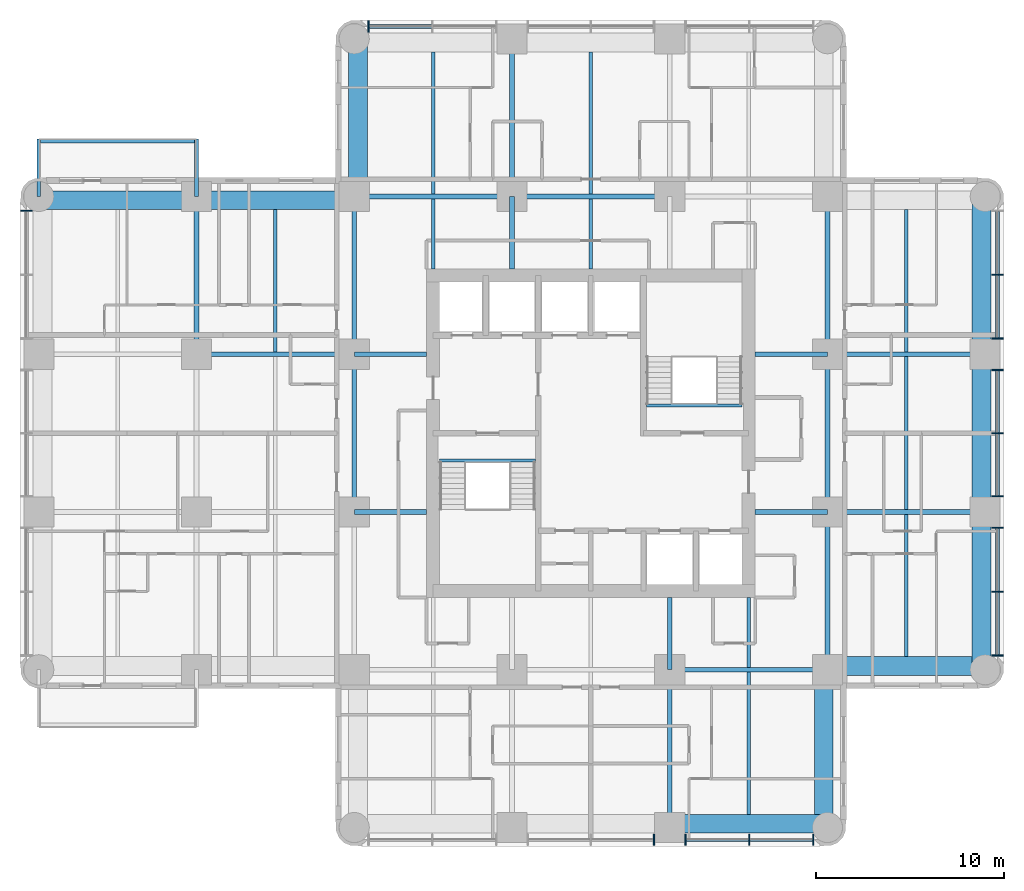
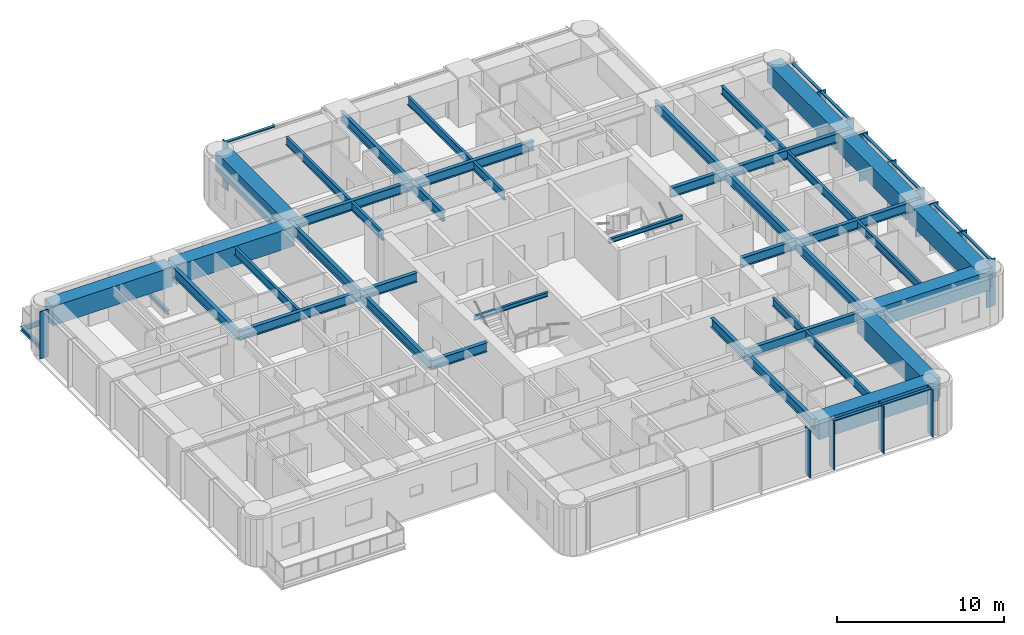
# One storey, part 2 of 11: 44 beams, 23 members, 4 elements without a shape of their own.
"""IFC4 building model written with IfcOpenShell, lengths in metres."""

from ifc_helpers import new_model, si_unit, direction, frame, origin, origin_2d, place, context, subcontext, project, spatial, rectangle, i_section, extrude, material, material_profile, profile_set, type_object, element, aggregate, save


model = new_model("IFC4")

# Units and contexts
model_context = context("Model", 3, precision=1e-05, world=origin(), true_north=direction((0.0, 1.0)))
body_context = subcontext(model_context, "Body", "Model", "MODEL_VIEW")
ifc_project = project(units=[si_unit("LENGTHUNIT", "METRE"), si_unit("AREAUNIT", "SQUARE_METRE"), si_unit("VOLUMEUNIT", "CUBIC_METRE"), si_unit("PLANEANGLEUNIT", "RADIAN"), si_unit("MASSUNIT", "GRAM", prefix="KILO")], contexts=[model_context])

# Site, building, storey
site_placement = place(None, origin())
site = spatial("IfcSite", under=ifc_project, at=site_placement, CompositionType="ELEMENT")
building_placement = place(site_placement, origin())
building = spatial("IfcBuilding", under=site, at=building_placement, Name="Torre Alcanfor", CompositionType="ELEMENT")
storey_placement = place(building_placement, frame((0.0, 0.0, 240.89990234375)))
storey = spatial("IfcBuildingStorey", under=building, at=storey_placement, Name="L63", CompositionType="ELEMENT", Elevation=240.89990234375)

# Beams
ifc_material_1 = material(Name="Steel ASTM A992 Grade 50", Category="steel")
ifc_material_profile_1 = material_profile(ifc_material_1, i_section(OverallWidth=0.205322265625, OverallDepth=0.309814453125, WebThickness=0.00927734375, FlangeThickness=0.016357421875, at=origin_2d()), Name="W12x50")
ifc_profile_set_1 = profile_set([ifc_material_profile_1], Name="Steel ASTM A992 Grade 50")
beam_type_1 = type_object("IfcBeamType", Name="Balcony cantilever beam W12x50", PredefinedType="BEAM", material=ifc_profile_set_1)
for number, where, z_axis, x_axis, name in (
    (1, (8.39990234375, 42.0, -0.354736328125), (0.0, 1.0, 0.0), (-1.0, 0.0, 0.0), "Balcony cantilever beam L63-W2 1"),
    (2, (0.0, 42.0, -0.354736328125), (0.0, 1.0, 0.0), (-1.0, 0.0, 0.0), "Balcony cantilever beam L63-W2 2"),
):
    element("IfcBeam", number, at=place(storey_placement, frame(where, z_axis=z_axis, x_axis=x_axis)), inside=storey, type_object=beam_type_1, Name=name, PredefinedType="BEAM", context=body_context, shape_type="SweptSolid", body=[
        extrude(i_section(OverallWidth=0.205322265625, OverallDepth=0.309814453125, WebThickness=0.00927734375, FlangeThickness=0.016357421875, at=origin_2d()), origin(), (0.0, 0.0, 1.0), 3.050048828125),
    ])
ifc_material_2 = material(Name="Steel ASTM A992 Grade 50", Category="steel")
ifc_material_profile_2 = material_profile(ifc_material_2, i_section(OverallWidth=0.203369140625, OverallDepth=0.30224609375, WebThickness=0.007568359375, FlangeThickness=0.01318359375, at=origin_2d()), Name="W12x40")
ifc_profile_set_2 = profile_set([ifc_material_profile_2], Name="Steel ASTM A992 Grade 50")
beam_type_2 = type_object("IfcBeamType", Name="Balcony edge trimmer W12x40", PredefinedType="BEAM", material=ifc_profile_set_2)
beam_1_placement = place(storey_placement, frame((8.39990234375, 44.9482421875, -0.35107421875), z_axis=(-1.0, 0.0, 0.0), x_axis=(0.0, -1.0, 0.0)))
element("IfcBeam", 3, at=beam_1_placement, inside=storey, type_object=beam_type_2, Name="Balcony edge trimmer L63-W2", PredefinedType="BEAM", context=body_context, shape_type="SweptSolid", body=[
    extrude(i_section(OverallWidth=0.203369140625, OverallDepth=0.30224609375, WebThickness=0.007568359375, FlangeThickness=0.01318359375, at=origin_2d()), origin(), (0.0, 0.0, 1.0), 8.39990234375),
])

# Curtain wall, member
ifc_material_3 = material(Name="Aluminium and glass", Category="aluminium")
curtain_wall_type = type_object("IfcCurtainWallType", Name="CW-A unitised apartment glazing with vertical FIN", PredefinedType="NOTDEFINED", material=ifc_material_3)
curtain_wall_1_placement = place(storey_placement, origin())
curtain_wall_1 = element("IfcCurtainWall", 4, at=curtain_wall_1_placement, inside=storey, type_object=curtain_wall_type, Name="Curtain wall CW-A L63 2", PredefinedType="NOTDEFINED")
ifc_material_4 = material(Name="Bronze anodised aluminium", Category="aluminium")
ifc_material_profile_3 = material_profile(ifc_material_4, rectangle(XDim=0.60009765625, YDim=0.06494140625, at=origin_2d()), Name="CW-A mullion 65x600")
ifc_profile_set_3 = profile_set([ifc_material_profile_3], Name="Bronze anodised aluminium")
member_type_1 = type_object("IfcMemberType", Name="CW-A mullion with vertical FIN 65x600", PredefinedType="MULLION", material=ifc_profile_set_3)
member_1_placement = place(storey_placement, frame((-0.64990234375, 41.24267578125, 0.0), z_axis=(0.0, 0.0, 1.0), x_axis=(1.0, 0.0, 0.0)))
member_1 = element("IfcMember", 5, at=member_1_placement, type_object=member_type_1, Name="CW-A mullion 1.1", PredefinedType="MULLION", context=body_context, shape_type="SweptSolid", body=[
    extrude(rectangle(XDim=0.60009765625, YDim=0.06494140625, at=origin_2d()), origin(), (0.0, 0.0, 1.0), 3.4501953125),
])
aggregate(curtain_wall_1, [member_1])

# Curtain wall, members
curtain_wall_2_placement = place(storey_placement, origin())
curtain_wall_2 = element("IfcCurtainWall", 6, at=curtain_wall_2_placement, inside=storey, type_object=curtain_wall_type, Name="Curtain wall CW-A L63 5", PredefinedType="NOTDEFINED")
member_2_placement = place(storey_placement, frame((32.762451171875, 7.75, 0.0), z_axis=(0.0, 0.0, 1.0), x_axis=(0.0, 1.0, 0.0)))
member_2 = element("IfcMember", 7, at=member_2_placement, type_object=member_type_1, Name="CW-A mullion 2.3", PredefinedType="MULLION", context=body_context, shape_type="SweptSolid", body=[
    extrude(rectangle(XDim=0.60009765625, YDim=0.06494140625, at=origin_2d()), origin(), (0.0, 0.0, 1.0), 3.4501953125),
])
member_3_placement = place(storey_placement, frame((34.4375, 7.75, 0.0), z_axis=(0.0, 0.0, 1.0), x_axis=(0.0, 1.0, 0.0)))
member_3 = element("IfcMember", 8, at=member_3_placement, type_object=member_type_1, Name="CW-A mullion 3.1", PredefinedType="MULLION", context=body_context, shape_type="SweptSolid", body=[
    extrude(rectangle(XDim=0.60009765625, YDim=0.06494140625, at=origin_2d()), origin(), (0.0, 0.0, 1.0), 3.4501953125),
])
member_4_placement = place(storey_placement, frame((37.840087890625, 7.75, 0.0), z_axis=(0.0, 0.0, 1.0), x_axis=(0.0, 1.0, 0.0)))
member_4 = element("IfcMember", 9, at=member_4_placement, type_object=member_type_1, Name="CW-A mullion 3.2", PredefinedType="MULLION", context=body_context, shape_type="SweptSolid", body=[
    extrude(rectangle(XDim=0.60009765625, YDim=0.06494140625, at=origin_2d()), origin(), (0.0, 0.0, 1.0), 3.4501953125),
])
member_5_placement = place(storey_placement, frame((41.24267578125, 7.75, 0.0), z_axis=(0.0, 0.0, 1.0), x_axis=(0.0, 1.0, 0.0)))
member_5 = element("IfcMember", 10, at=member_5_placement, type_object=member_type_1, Name="CW-A mullion 3.3", PredefinedType="MULLION", context=body_context, shape_type="SweptSolid", body=[
    extrude(rectangle(XDim=0.60009765625, YDim=0.06494140625, at=origin_2d()), origin(), (0.0, 0.0, 1.0), 3.4501953125),
])

curtain_wall_3_placement = place(storey_placement, origin())
curtain_wall_3 = element("IfcCurtainWall", 11, at=curtain_wall_3_placement, inside=storey, type_object=curtain_wall_type, Name="Curtain wall CW-A L63 8", PredefinedType="NOTDEFINED")
member_6_placement = place(storey_placement, frame((51.050048828125, 17.557373046875, 0.0), z_axis=(0.0, 0.0, 1.0), x_axis=(-1.0, 0.0, 0.0)))
member_6 = element("IfcMember", 12, at=member_6_placement, type_object=member_type_1, Name="CW-A mullion 1.1", PredefinedType="MULLION", context=body_context, shape_type="SweptSolid", body=[
    extrude(rectangle(XDim=0.60009765625, YDim=0.06494140625, at=origin_2d()), origin(), (0.0, 0.0, 1.0), 3.4501953125),
])
member_7_placement = place(storey_placement, frame((51.050048828125, 20.9599609375, 0.0), z_axis=(0.0, 0.0, 1.0), x_axis=(-1.0, 0.0, 0.0)))
member_7 = element("IfcMember", 13, at=member_7_placement, type_object=member_type_1, Name="CW-A mullion 1.2", PredefinedType="MULLION", context=body_context, shape_type="SweptSolid", body=[
    extrude(rectangle(XDim=0.60009765625, YDim=0.06494140625, at=origin_2d()), origin(), (0.0, 0.0, 1.0), 3.4501953125),
])
member_8_placement = place(storey_placement, frame((51.050048828125, 24.362548828125, 0.0), z_axis=(0.0, 0.0, 1.0), x_axis=(-1.0, 0.0, 0.0)))
member_8 = element("IfcMember", 14, at=member_8_placement, type_object=member_type_1, Name="CW-A mullion 1.3", PredefinedType="MULLION", context=body_context, shape_type="SweptSolid", body=[
    extrude(rectangle(XDim=0.60009765625, YDim=0.06494140625, at=origin_2d()), origin(), (0.0, 0.0, 1.0), 3.4501953125),
])
member_9_placement = place(storey_placement, frame((51.050048828125, 26.03759765625, 0.0), z_axis=(0.0, 0.0, 1.0), x_axis=(-1.0, 0.0, 0.0)))
member_9 = element("IfcMember", 15, at=member_9_placement, type_object=member_type_1, Name="CW-A mullion 2.1", PredefinedType="MULLION", context=body_context, shape_type="SweptSolid", body=[
    extrude(rectangle(XDim=0.60009765625, YDim=0.06494140625, at=origin_2d()), origin(), (0.0, 0.0, 1.0), 3.4501953125),
])
member_10_placement = place(storey_placement, frame((51.050048828125, 29.39990234375, 0.0), z_axis=(0.0, 0.0, 1.0), x_axis=(-1.0, 0.0, 0.0)))
member_10 = element("IfcMember", 16, at=member_10_placement, type_object=member_type_1, Name="CW-A mullion 2.2", PredefinedType="MULLION", context=body_context, shape_type="SweptSolid", body=[
    extrude(rectangle(XDim=0.60009765625, YDim=0.06494140625, at=origin_2d()), origin(), (0.0, 0.0, 1.0), 3.4501953125),
])
member_11_placement = place(storey_placement, frame((51.050048828125, 32.762451171875, 0.0), z_axis=(0.0, 0.0, 1.0), x_axis=(-1.0, 0.0, 0.0)))
member_11 = element("IfcMember", 17, at=member_11_placement, type_object=member_type_1, Name="CW-A mullion 2.3", PredefinedType="MULLION", context=body_context, shape_type="SweptSolid", body=[
    extrude(rectangle(XDim=0.60009765625, YDim=0.06494140625, at=origin_2d()), origin(), (0.0, 0.0, 1.0), 3.4501953125),
])
member_12_placement = place(storey_placement, frame((51.050048828125, 34.4375, 0.0), z_axis=(0.0, 0.0, 1.0), x_axis=(-1.0, 0.0, 0.0)))
member_12 = element("IfcMember", 18, at=member_12_placement, type_object=member_type_1, Name="CW-A mullion 3.1", PredefinedType="MULLION", context=body_context, shape_type="SweptSolid", body=[
    extrude(rectangle(XDim=0.60009765625, YDim=0.06494140625, at=origin_2d()), origin(), (0.0, 0.0, 1.0), 3.4501953125),
])
member_13_placement = place(storey_placement, frame((51.050048828125, 37.840087890625, 0.0), z_axis=(0.0, 0.0, 1.0), x_axis=(-1.0, 0.0, 0.0)))
member_13 = element("IfcMember", 19, at=member_13_placement, type_object=member_type_1, Name="CW-A mullion 3.2", PredefinedType="MULLION", context=body_context, shape_type="SweptSolid", body=[
    extrude(rectangle(XDim=0.60009765625, YDim=0.06494140625, at=origin_2d()), origin(), (0.0, 0.0, 1.0), 3.4501953125),
])

# Curtain wall, member
curtain_wall_4_placement = place(storey_placement, origin())
curtain_wall_4 = element("IfcCurtainWall", 20, at=curtain_wall_4_placement, inside=storey, type_object=curtain_wall_type, Name="Curtain wall CW-A L63 11", PredefinedType="NOTDEFINED")
member_14_placement = place(storey_placement, frame((17.557373046875, 51.050048828125, 0.0), z_axis=(0.0, 0.0, 1.0), x_axis=(0.0, -1.0, 0.0)))
member_14 = element("IfcMember", 21, at=member_14_placement, type_object=member_type_1, Name="CW-A mullion 3.3", PredefinedType="MULLION", context=body_context, shape_type="SweptSolid", body=[
    extrude(rectangle(XDim=0.60009765625, YDim=0.06494140625, at=origin_2d()), origin(), (0.0, 0.0, 1.0), 3.4501953125),
])

# Member
ifc_material_5 = material(Name="Extruded aluminium", Category="aluminium")
ifc_material_profile_4 = material_profile(ifc_material_5, rectangle(XDim=0.199951171875, YDim=0.06494140625, at=origin_2d()), Name="CW-A transom 200x65")
ifc_profile_set_4 = profile_set([ifc_material_profile_4], Name="Extruded aluminium")
member_type_2 = type_object("IfcMemberType", Name="CW-A transom 65x200", PredefinedType="USERDEFINED", material=ifc_profile_set_4)
member_15_placement = place(storey_placement, frame((34.469970703125, 7.75, 3.41748046875), z_axis=(1.0, 0.0, 0.0), x_axis=(0.0, 1.0, 0.0)))
member_15 = element("IfcMember", 22, at=member_15_placement, type_object=member_type_2, Name="CW-A transom 3.1.2", ObjectType="TRANSOM", PredefinedType="USERDEFINED", context=body_context, shape_type="SweptSolid", body=[
    extrude(rectangle(XDim=0.199951171875, YDim=0.06494140625, at=origin_2d()), origin(), (0.0, 0.0, 1.0), 3.337646484375),
])

member_16_placement = place(storey_placement, frame((37.87255859375, 7.75, 3.41748046875), z_axis=(1.0, 0.0, 0.0), x_axis=(0.0, 1.0, 0.0)))
member_16 = element("IfcMember", 23, at=member_16_placement, type_object=member_type_2, Name="CW-A transom 3.2.2", ObjectType="TRANSOM", PredefinedType="USERDEFINED", context=body_context, shape_type="SweptSolid", body=[
    extrude(rectangle(XDim=0.199951171875, YDim=0.06494140625, at=origin_2d()), origin(), (0.0, 0.0, 1.0), 3.337646484375),
])

aggregate(curtain_wall_2, [member_2, member_3, member_4, member_5, member_15, member_16])

member_17_placement = place(storey_placement, frame((51.050048828125, 17.58984375, 3.41748046875), z_axis=(0.0, 1.0, 0.0), x_axis=(-1.0, 0.0, 0.0)))
member_17 = element("IfcMember", 24, at=member_17_placement, type_object=member_type_2, Name="CW-A transom 1.1.2", ObjectType="TRANSOM", PredefinedType="USERDEFINED", context=body_context, shape_type="SweptSolid", body=[
    extrude(rectangle(XDim=0.199951171875, YDim=0.06494140625, at=origin_2d()), origin(), (0.0, 0.0, 1.0), 3.337646484375),
])

member_18_placement = place(storey_placement, frame((51.050048828125, 20.992431640625, 3.41748046875), z_axis=(0.0, 1.0, 0.0), x_axis=(-1.0, 0.0, 0.0)))
member_18 = element("IfcMember", 25, at=member_18_placement, type_object=member_type_2, Name="CW-A transom 1.2.2", ObjectType="TRANSOM", PredefinedType="USERDEFINED", context=body_context, shape_type="SweptSolid", body=[
    extrude(rectangle(XDim=0.199951171875, YDim=0.06494140625, at=origin_2d()), origin(), (0.0, 0.0, 1.0), 3.337646484375),
])

member_19_placement = place(storey_placement, frame((51.050048828125, 26.070068359375, 3.41748046875), z_axis=(0.0, 1.0, 0.0), x_axis=(-1.0, 0.0, 0.0)))
member_19 = element("IfcMember", 26, at=member_19_placement, type_object=member_type_2, Name="CW-A transom 2.1.2", ObjectType="TRANSOM", PredefinedType="USERDEFINED", context=body_context, shape_type="SweptSolid", body=[
    extrude(rectangle(XDim=0.199951171875, YDim=0.06494140625, at=origin_2d()), origin(), (0.0, 0.0, 1.0), 3.29736328125),
])

member_20_placement = place(storey_placement, frame((51.050048828125, 29.4326171875, 3.41748046875), z_axis=(0.0, 1.0, 0.0), x_axis=(-1.0, 0.0, 0.0)))
member_20 = element("IfcMember", 27, at=member_20_placement, type_object=member_type_2, Name="CW-A transom 2.2.2", ObjectType="TRANSOM", PredefinedType="USERDEFINED", context=body_context, shape_type="SweptSolid", body=[
    extrude(rectangle(XDim=0.199951171875, YDim=0.06494140625, at=origin_2d()), origin(), (0.0, 0.0, 1.0), 3.29736328125),
])

member_21_placement = place(storey_placement, frame((51.050048828125, 34.469970703125, 3.41748046875), z_axis=(0.0, 1.0, 0.0), x_axis=(-1.0, 0.0, 0.0)))
member_21 = element("IfcMember", 28, at=member_21_placement, type_object=member_type_2, Name="CW-A transom 3.1.2", ObjectType="TRANSOM", PredefinedType="USERDEFINED", context=body_context, shape_type="SweptSolid", body=[
    extrude(rectangle(XDim=0.199951171875, YDim=0.06494140625, at=origin_2d()), origin(), (0.0, 0.0, 1.0), 3.337646484375),
])

member_22_placement = place(storey_placement, frame((51.050048828125, 37.87255859375, 3.41748046875), z_axis=(0.0, 1.0, 0.0), x_axis=(-1.0, 0.0, 0.0)))
member_22 = element("IfcMember", 29, at=member_22_placement, type_object=member_type_2, Name="CW-A transom 3.2.2", ObjectType="TRANSOM", PredefinedType="USERDEFINED", context=body_context, shape_type="SweptSolid", body=[
    extrude(rectangle(XDim=0.199951171875, YDim=0.06494140625, at=origin_2d()), origin(), (0.0, 0.0, 1.0), 3.337646484375),
])

aggregate(curtain_wall_3, [member_6, member_7, member_8, member_17, member_18, member_9, member_10, member_11, member_19, member_20, member_12, member_13, member_21, member_22])

member_23_placement = place(storey_placement, frame((20.927490234375, 51.050048828125, 3.41748046875), z_axis=(-1.0, 0.0, 0.0), x_axis=(0.0, -1.0, 0.0)))
member_23 = element("IfcMember", 30, at=member_23_placement, type_object=member_type_2, Name="CW-A transom 3.2.2", ObjectType="TRANSOM", PredefinedType="USERDEFINED", context=body_context, shape_type="SweptSolid", body=[
    extrude(rectangle(XDim=0.199951171875, YDim=0.06494140625, at=origin_2d()), origin(), (0.0, 0.0, 1.0), 3.337646484375),
])

aggregate(curtain_wall_4, [member_14, member_23])

# Beams
ifc_material_6 = material(Name="Steel ASTM A992 Grade 50", Category="steel")
ifc_material_profile_5 = material_profile(ifc_material_6, i_section(OverallWidth=0.25390625, OverallDepth=0.683349609375, WebThickness=0.012451171875, FlangeThickness=0.01904296875, at=origin_2d()), Name="W27x94")
ifc_profile_set_5 = profile_set([ifc_material_profile_5], Name="Steel ASTM A992 Grade 50")
beam_type_3 = type_object("IfcBeamType", Name="Girder W27x94", PredefinedType="BEAM", material=ifc_profile_set_5)
for number, where, z_axis, x_axis, name in (
    (31, (33.60009765625, 16.800048828125, 3.1083984375), (1.0, 0.0, 0.0), (0.0, 1.0, 0.0), "Beam 5E-6E under L64"),
    (32, (42.0, 25.199951171875, 3.1083984375), (1.0, 0.0, 0.0), (0.0, 1.0, 0.0), "Beam 6F-7F under L64"),
):
    element("IfcBeam", number, at=place(storey_placement, frame(where, z_axis=z_axis, x_axis=x_axis)), inside=storey, type_object=beam_type_3, Name=name, PredefinedType="BEAM", context=body_context, shape_type="SweptSolid", body=[
        extrude(i_section(OverallWidth=0.25390625, OverallDepth=0.683349609375, WebThickness=0.012451171875, FlangeThickness=0.01904296875, at=origin_2d()), origin(), (0.0, 0.0, 1.0), 8.39990234375),
    ])
beam_2_placement = place(storey_placement, frame((8.39990234375, 33.60009765625, 3.1083984375), z_axis=(1.0, 0.0, 0.0), x_axis=(0.0, 1.0, 0.0)))
element("IfcBeam", 33, at=beam_2_placement, inside=storey, type_object=beam_type_3, Name="Beam 2G-3G under L64", PredefinedType="BEAM", context=body_context, shape_type="SweptSolid", body=[
    extrude(i_section(OverallWidth=0.25390625, OverallDepth=0.683349609375, WebThickness=0.012451171875, FlangeThickness=0.01904296875, at=origin_2d()), origin(), (0.0, 0.0, 1.0), 8.400146484375),
])
for number, where, z_axis, x_axis, name in (
    (34, (42.0, 33.60009765625, 3.1083984375), (1.0, 0.0, 0.0), (0.0, 1.0, 0.0), "Beam 6G-7G under L64"),
    (35, (16.800048828125, 42.0, 3.1083984375), (1.0, 0.0, 0.0), (0.0, 1.0, 0.0), "Beam 3H-4H under L64"),
):
    element("IfcBeam", number, at=place(storey_placement, frame(where, z_axis=z_axis, x_axis=x_axis)), inside=storey, type_object=beam_type_3, Name=name, PredefinedType="BEAM", context=body_context, shape_type="SweptSolid", body=[
        extrude(i_section(OverallWidth=0.25390625, OverallDepth=0.683349609375, WebThickness=0.012451171875, FlangeThickness=0.01904296875, at=origin_2d()), origin(), (0.0, 0.0, 1.0), 8.39990234375),
    ])
beam_3_placement = place(storey_placement, frame((25.199951171875, 42.0, 3.1083984375), z_axis=(1.0, 0.0, 0.0), x_axis=(0.0, 1.0, 0.0)))
element("IfcBeam", 36, at=beam_3_placement, inside=storey, type_object=beam_type_3, Name="Beam 4H-5H under L64", PredefinedType="BEAM", context=body_context, shape_type="SweptSolid", body=[
    extrude(i_section(OverallWidth=0.25390625, OverallDepth=0.683349609375, WebThickness=0.012451171875, FlangeThickness=0.01904296875, at=origin_2d()), origin(), (0.0, 0.0, 1.0), 8.400146484375),
])
beam_4_placement = place(storey_placement, frame((8.39990234375, 33.60009765625, 3.1083984375), z_axis=(0.0, 1.0, 0.0), x_axis=(-1.0, 0.0, 0.0)))
element("IfcBeam", 37, at=beam_4_placement, inside=storey, type_object=beam_type_3, Name="Beam 2G-2H under L64", PredefinedType="BEAM", context=body_context, shape_type="SweptSolid", body=[
    extrude(i_section(OverallWidth=0.25390625, OverallDepth=0.683349609375, WebThickness=0.012451171875, FlangeThickness=0.01904296875, at=origin_2d()), origin(), (0.0, 0.0, 1.0), 8.39990234375),
])
beam_5_placement = place(storey_placement, frame((16.800048828125, 25.199951171875, 3.1083984375), z_axis=(0.0, 1.0, 0.0), x_axis=(-1.0, 0.0, 0.0)))
element("IfcBeam", 38, at=beam_5_placement, inside=storey, type_object=beam_type_3, Name="Beam 3F-3G under L64", PredefinedType="BEAM", context=body_context, shape_type="SweptSolid", body=[
    extrude(i_section(OverallWidth=0.25390625, OverallDepth=0.683349609375, WebThickness=0.012451171875, FlangeThickness=0.01904296875, at=origin_2d()), origin(), (0.0, 0.0, 1.0), 8.400146484375),
])
for number, where, z_axis, x_axis, name in (
    (39, (16.800048828125, 33.60009765625, 3.1083984375), (0.0, 1.0, 0.0), (-1.0, 0.0, 0.0), "Beam 3G-3H under L64"),
    (40, (25.199951171875, 42.0, 3.1083984375), (0.0, 1.0, 0.0), (-1.0, 0.0, 0.0), "Beam 4H-4J under L64"),
):
    element("IfcBeam", number, at=place(storey_placement, frame(where, z_axis=z_axis, x_axis=x_axis)), inside=storey, type_object=beam_type_3, Name=name, PredefinedType="BEAM", context=body_context, shape_type="SweptSolid", body=[
        extrude(i_section(OverallWidth=0.25390625, OverallDepth=0.683349609375, WebThickness=0.012451171875, FlangeThickness=0.01904296875, at=origin_2d()), origin(), (0.0, 0.0, 1.0), 8.39990234375),
    ])
beam_6_placement = place(storey_placement, frame((33.60009765625, 8.39990234375, 3.1083984375), z_axis=(0.0, 1.0, 0.0), x_axis=(-1.0, 0.0, 0.0)))
element("IfcBeam", 41, at=beam_6_placement, inside=storey, type_object=beam_type_3, Name="Beam 5D-5E under L64", PredefinedType="BEAM", context=body_context, shape_type="SweptSolid", body=[
    extrude(i_section(OverallWidth=0.25390625, OverallDepth=0.683349609375, WebThickness=0.012451171875, FlangeThickness=0.01904296875, at=origin_2d()), origin(), (0.0, 0.0, 1.0), 8.400146484375),
])
beam_7_placement = place(storey_placement, frame((42.0, 16.800048828125, 3.1083984375), z_axis=(0.0, 1.0, 0.0), x_axis=(-1.0, 0.0, 0.0)))
element("IfcBeam", 42, at=beam_7_placement, inside=storey, type_object=beam_type_3, Name="Beam 6E-6F under L64", PredefinedType="BEAM", context=body_context, shape_type="SweptSolid", body=[
    extrude(i_section(OverallWidth=0.25390625, OverallDepth=0.683349609375, WebThickness=0.012451171875, FlangeThickness=0.01904296875, at=origin_2d()), origin(), (0.0, 0.0, 1.0), 8.39990234375),
])
beam_8_placement = place(storey_placement, frame((42.0, 25.199951171875, 3.1083984375), z_axis=(0.0, 1.0, 0.0), x_axis=(-1.0, 0.0, 0.0)))
element("IfcBeam", 43, at=beam_8_placement, inside=storey, type_object=beam_type_3, Name="Beam 6F-6G under L64", PredefinedType="BEAM", context=body_context, shape_type="SweptSolid", body=[
    extrude(i_section(OverallWidth=0.25390625, OverallDepth=0.683349609375, WebThickness=0.012451171875, FlangeThickness=0.01904296875, at=origin_2d()), origin(), (0.0, 0.0, 1.0), 8.400146484375),
])
beam_9_placement = place(storey_placement, frame((42.0, 33.60009765625, 3.1083984375), z_axis=(0.0, 1.0, 0.0), x_axis=(-1.0, 0.0, 0.0)))
element("IfcBeam", 44, at=beam_9_placement, inside=storey, type_object=beam_type_3, Name="Beam 6G-6H under L64", PredefinedType="BEAM", context=body_context, shape_type="SweptSolid", body=[
    extrude(i_section(OverallWidth=0.25390625, OverallDepth=0.683349609375, WebThickness=0.012451171875, FlangeThickness=0.01904296875, at=origin_2d()), origin(), (0.0, 0.0, 1.0), 8.39990234375),
])
ifc_material_7 = material(Name="Steel ASTM A992 Grade 50", Category="steel")
ifc_material_profile_6 = material_profile(ifc_material_7, i_section(OverallWidth=0.25390625, OverallDepth=0.683349609375, WebThickness=0.012451171875, FlangeThickness=0.01904296875, at=origin_2d()), Name="W27x94")
ifc_profile_set_6 = profile_set([ifc_material_profile_6], Name="Steel ASTM A992 Grade 50")
beam_type_4 = type_object("IfcBeamType", Name="Girder, part bay W27x94", PredefinedType="BEAM", material=ifc_profile_set_6)
beam_10_placement = place(storey_placement, frame((25.199951171875, 42.0, 3.1083984375), z_axis=(0.0, -1.0, 0.0), x_axis=(1.0, 0.0, 0.0)))
element("IfcBeam", 45, at=beam_10_placement, inside=storey, type_object=beam_type_4, Name="Beam 4H-438_15 under L64", PredefinedType="BEAM", context=body_context, shape_type="SweptSolid", body=[
    extrude(i_section(OverallWidth=0.25390625, OverallDepth=0.683349609375, WebThickness=0.012451171875, FlangeThickness=0.01904296875, at=origin_2d()), origin(), (0.0, 0.0, 1.0), 3.85009765625),
])
for number, where, z_axis, x_axis, name in (
    (46, (33.60009765625, 16.800048828125, 3.1083984375), (0.0, 1.0, 0.0), (-1.0, 0.0, 0.0), "Beam 5E-520_65 under L64"),
    (47, (16.800048828125, 25.199951171875, 3.1083984375), (1.0, 0.0, 0.0), (0.0, 1.0, 0.0), "Beam 3F-20_65F under L64"),
):
    element("IfcBeam", number, at=place(storey_placement, frame(where, z_axis=z_axis, x_axis=x_axis)), inside=storey, type_object=beam_type_4, Name=name, PredefinedType="BEAM", context=body_context, shape_type="SweptSolid", body=[
        extrude(i_section(OverallWidth=0.25390625, OverallDepth=0.683349609375, WebThickness=0.012451171875, FlangeThickness=0.01904296875, at=origin_2d()), origin(), (0.0, 0.0, 1.0), 3.849853515625),
    ])
beam_11_placement = place(storey_placement, frame((42.0, 25.199951171875, 3.1083984375), z_axis=(-1.0, 0.0, 0.0), x_axis=(0.0, -1.0, 0.0)))
element("IfcBeam", 48, at=beam_11_placement, inside=storey, type_object=beam_type_4, Name="Beam 6F-38_15F under L64", PredefinedType="BEAM", context=body_context, shape_type="SweptSolid", body=[
    extrude(i_section(OverallWidth=0.25390625, OverallDepth=0.683349609375, WebThickness=0.012451171875, FlangeThickness=0.01904296875, at=origin_2d()), origin(), (0.0, 0.0, 1.0), 3.85009765625),
])
beam_12_placement = place(storey_placement, frame((16.800048828125, 33.60009765625, 3.1083984375), z_axis=(1.0, 0.0, 0.0), x_axis=(0.0, 1.0, 0.0)))
element("IfcBeam", 49, at=beam_12_placement, inside=storey, type_object=beam_type_4, Name="Beam 3G-20_65G under L64", PredefinedType="BEAM", context=body_context, shape_type="SweptSolid", body=[
    extrude(i_section(OverallWidth=0.25390625, OverallDepth=0.683349609375, WebThickness=0.012451171875, FlangeThickness=0.01904296875, at=origin_2d()), origin(), (0.0, 0.0, 1.0), 3.849853515625),
])
beam_13_placement = place(storey_placement, frame((42.0, 33.60009765625, 3.1083984375), z_axis=(-1.0, 0.0, 0.0), x_axis=(0.0, -1.0, 0.0)))
element("IfcBeam", 50, at=beam_13_placement, inside=storey, type_object=beam_type_4, Name="Beam 6G-38_15G under L64", PredefinedType="BEAM", context=body_context, shape_type="SweptSolid", body=[
    extrude(i_section(OverallWidth=0.25390625, OverallDepth=0.683349609375, WebThickness=0.012451171875, FlangeThickness=0.01904296875, at=origin_2d()), origin(), (0.0, 0.0, 1.0), 3.85009765625),
])
ifc_material_8 = material(Name="Concrete f'c 70 MPa", Category="concrete")
ifc_material_profile_7 = material_profile(ifc_material_8, rectangle(XDim=1.0, YDim=1.39990234375, at=origin_2d()), Name="1000x1400")
ifc_profile_set_7 = profile_set([ifc_material_profile_7], Name="Concrete f'c 70 MPa")
beam_type_5 = type_object("IfcBeamType", Name="RC perimeter beam 1000x1400", PredefinedType="BEAM", material=ifc_profile_set_7)
for number, where, z_axis, x_axis, name in (
    (51, (33.72705078125, 8.60009765625, 2.75), (1.0, 0.0, 0.0), (0.0, 1.0, 0.0), "Beam 5D-6D under L64"),
    (52, (42.126953125, 17.0, 2.75), (1.0, 0.0, 0.0), (0.0, 1.0, 0.0), "Beam 6E-7E under L64"),
    (53, (0.0, 41.800048828125, 2.75), (1.0, 0.0, 0.0), (0.0, 1.0, 0.0), "Beam 1H-2H under L64"),
):
    element("IfcBeam", number, at=place(storey_placement, frame(where, z_axis=z_axis, x_axis=x_axis)), inside=storey, type_object=beam_type_5, Name=name, PredefinedType="BEAM", context=body_context, shape_type="SweptSolid", body=[
        extrude(rectangle(XDim=1.0, YDim=1.39990234375, at=origin_2d()), origin(), (0.0, 0.0, 1.0), 8.27294921875),
    ])
beam_14_placement = place(storey_placement, frame((8.527099609375, 41.800048828125, 2.75), z_axis=(1.0, 0.0, 0.0), x_axis=(0.0, 1.0, 0.0)))
element("IfcBeam", 54, at=beam_14_placement, inside=storey, type_object=beam_type_5, Name="Beam 2H-3H under L64", PredefinedType="BEAM", context=body_context, shape_type="SweptSolid", body=[
    extrude(rectangle(XDim=1.0, YDim=1.39990234375, at=origin_2d()), origin(), (0.0, 0.0, 1.0), 8.14599609375),
])
beam_15_placement = place(storey_placement, frame((17.0, 42.126953125, 2.75), z_axis=(0.0, 1.0, 0.0), x_axis=(-1.0, 0.0, 0.0)))
element("IfcBeam", 55, at=beam_15_placement, inside=storey, type_object=beam_type_5, Name="Beam 3H-3J under L64", PredefinedType="BEAM", context=body_context, shape_type="SweptSolid", body=[
    extrude(rectangle(XDim=1.0, YDim=1.39990234375, at=origin_2d()), origin(), (0.0, 0.0, 1.0), 8.27294921875),
])
beam_16_placement = place(storey_placement, frame((41.800048828125, 8.39990234375, 2.75), z_axis=(0.0, 1.0, 0.0), x_axis=(-1.0, 0.0, 0.0)))
element("IfcBeam", 56, at=beam_16_placement, inside=storey, type_object=beam_type_5, Name="Beam 6D-6E under L64", PredefinedType="BEAM", context=body_context, shape_type="SweptSolid", body=[
    extrude(rectangle(XDim=1.0, YDim=1.39990234375, at=origin_2d()), origin(), (0.0, 0.0, 1.0), 8.273193359375),
])
beam_17_placement = place(storey_placement, frame((50.199951171875, 16.800048828125, 2.75), z_axis=(0.0, 1.0, 0.0), x_axis=(-1.0, 0.0, 0.0)))
element("IfcBeam", 57, at=beam_17_placement, inside=storey, type_object=beam_type_5, Name="Beam 7E-7F under L64", PredefinedType="BEAM", context=body_context, shape_type="SweptSolid", body=[
    extrude(rectangle(XDim=1.0, YDim=1.39990234375, at=origin_2d()), origin(), (0.0, 0.0, 1.0), 8.27294921875),
])
beam_18_placement = place(storey_placement, frame((50.199951171875, 25.326904296875, 2.75), z_axis=(0.0, 1.0, 0.0), x_axis=(-1.0, 0.0, 0.0)))
element("IfcBeam", 58, at=beam_18_placement, inside=storey, type_object=beam_type_5, Name="Beam 7F-7G under L64", PredefinedType="BEAM", context=body_context, shape_type="SweptSolid", body=[
    extrude(rectangle(XDim=1.0, YDim=1.39990234375, at=origin_2d()), origin(), (0.0, 0.0, 1.0), 8.14599609375),
])
beam_19_placement = place(storey_placement, frame((50.199951171875, 33.72705078125, 2.75), z_axis=(0.0, 1.0, 0.0), x_axis=(-1.0, 0.0, 0.0)))
element("IfcBeam", 59, at=beam_19_placement, inside=storey, type_object=beam_type_5, Name="Beam 7G-7H under L64", PredefinedType="BEAM", context=body_context, shape_type="SweptSolid", body=[
    extrude(rectangle(XDim=1.0, YDim=1.39990234375, at=origin_2d()), origin(), (0.0, 0.0, 1.0), 8.27294921875),
])
ifc_material_9 = material(Name="Steel ASTM A992 Grade 50", Category="steel")
ifc_material_profile_8 = material_profile(ifc_material_9, i_section(OverallWidth=0.1787109375, OverallDepth=0.60205078125, WebThickness=0.010986328125, FlangeThickness=0.014892578125, at=origin_2d()), Name="W24x62")
ifc_profile_set_8 = profile_set([ifc_material_profile_8], Name="Steel ASTM A992 Grade 50")
beam_type_6 = type_object("IfcBeamType", Name="Secondary beam W24x62", PredefinedType="BEAM", material=ifc_profile_set_8)
for number, where, z_axis, x_axis, name in (
    (60, (12.60009765625, 33.72705078125, 3.149169921875), (0.0, 1.0, 0.0), (-1.0, 0.0, 0.0), "Beam 12_6G-12_6H under L64"),
    (61, (21.0, 42.126953125, 3.149169921875), (0.0, 1.0, 0.0), (-1.0, 0.0, 0.0), "Beam 21H-21J under L64"),
    (62, (29.39990234375, 42.126953125, 3.149169921875), (0.0, 1.0, 0.0), (-1.0, 0.0, 0.0), "Beam 29_4H-29_4J under L64"),
    (63, (37.800048828125, 9.10009765625, 3.149169921875), (0.0, 1.0, 0.0), (-1.0, 0.0, 0.0), "Beam 37_8D-37_8E under L64"),
    (64, (46.199951171875, 17.5, 3.149169921875), (0.0, 1.0, 0.0), (-1.0, 0.0, 0.0), "Beam 46_2E-46_2F under L64"),
):
    element("IfcBeam", number, at=place(storey_placement, frame(where, z_axis=z_axis, x_axis=x_axis)), inside=storey, type_object=beam_type_6, Name=name, PredefinedType="BEAM", context=body_context, shape_type="SweptSolid", body=[
        extrude(i_section(OverallWidth=0.1787109375, OverallDepth=0.60205078125, WebThickness=0.010986328125, FlangeThickness=0.014892578125, at=origin_2d()), origin(), (0.0, 0.0, 1.0), 7.572998046875),
    ])
beam_20_placement = place(storey_placement, frame((46.199951171875, 25.326904296875, 3.149169921875), z_axis=(0.0, 1.0, 0.0), x_axis=(-1.0, 0.0, 0.0)))
element("IfcBeam", 65, at=beam_20_placement, inside=storey, type_object=beam_type_6, Name="Beam 46_2F-46_2G under L64", PredefinedType="BEAM", context=body_context, shape_type="SweptSolid", body=[
    extrude(i_section(OverallWidth=0.1787109375, OverallDepth=0.60205078125, WebThickness=0.010986328125, FlangeThickness=0.014892578125, at=origin_2d()), origin(), (0.0, 0.0, 1.0), 8.14599609375),
])
beam_21_placement = place(storey_placement, frame((46.199951171875, 33.72705078125, 3.149169921875), z_axis=(0.0, 1.0, 0.0), x_axis=(-1.0, 0.0, 0.0)))
element("IfcBeam", 66, at=beam_21_placement, inside=storey, type_object=beam_type_6, Name="Beam 46_2G-46_2H under L64", PredefinedType="BEAM", context=body_context, shape_type="SweptSolid", body=[
    extrude(i_section(OverallWidth=0.1787109375, OverallDepth=0.60205078125, WebThickness=0.010986328125, FlangeThickness=0.014892578125, at=origin_2d()), origin(), (0.0, 0.0, 1.0), 7.572998046875),
])
ifc_material_10 = material(Name="Steel ASTM A992 Grade 50", Category="steel")
ifc_material_profile_9 = material_profile(ifc_material_10, i_section(OverallWidth=0.1787109375, OverallDepth=0.60205078125, WebThickness=0.010986328125, FlangeThickness=0.014892578125, at=origin_2d()), Name="W24x62")
ifc_profile_set_9 = profile_set([ifc_material_profile_9], Name="Steel ASTM A992 Grade 50")
beam_type_7 = type_object("IfcBeamType", Name="Secondary beam, part bay W24x62", PredefinedType="BEAM", material=ifc_profile_set_9)
for number, where, z_axis, x_axis, name in (
    (67, (21.0, 38.14990234375, 3.149169921875), (0.0, 1.0, 0.0), (-1.0, 0.0, 0.0), "Beam 2138_15-21H under L64"),
    (68, (29.39990234375, 38.14990234375, 3.149169921875), (0.0, 1.0, 0.0), (-1.0, 0.0, 0.0), "Beam 29_438_15-29_4H under L64"),
):
    element("IfcBeam", number, at=place(storey_placement, frame(where, z_axis=z_axis, x_axis=x_axis)), inside=storey, type_object=beam_type_7, Name=name, PredefinedType="BEAM", context=body_context, shape_type="SweptSolid", body=[
        extrude(i_section(OverallWidth=0.1787109375, OverallDepth=0.60205078125, WebThickness=0.010986328125, FlangeThickness=0.014892578125, at=origin_2d()), origin(), (0.0, 0.0, 1.0), 3.72314453125),
    ])
beam_22_placement = place(storey_placement, frame((37.800048828125, 16.927001953125, 3.149169921875), z_axis=(0.0, 1.0, 0.0), x_axis=(-1.0, 0.0, 0.0)))
element("IfcBeam", 69, at=beam_22_placement, inside=storey, type_object=beam_type_7, Name="Beam 37_8E-37_820_65 under L64", PredefinedType="BEAM", context=body_context, shape_type="SweptSolid", body=[
    extrude(i_section(OverallWidth=0.1787109375, OverallDepth=0.60205078125, WebThickness=0.010986328125, FlangeThickness=0.014892578125, at=origin_2d()), origin(), (0.0, 0.0, 1.0), 3.722900390625),
])
ifc_material_11 = material(Name="Steel ASTM A992 Grade 50", Category="steel")
ifc_material_profile_10 = material_profile(ifc_material_11, i_section(OverallWidth=0.164794921875, OverallDepth=0.309814453125, WebThickness=0.005859375, FlangeThickness=0.009765625, at=origin_2d()), Name="W12x26")
ifc_profile_set_10 = profile_set([ifc_material_profile_10], Name="Steel ASTM A992 Grade 50")
beam_type_8 = type_object("IfcBeamType", Name="Stair landing beam W12x26", PredefinedType="BEAM", material=ifc_profile_set_10)
for number, where, z_axis, x_axis, name in (
    (70, (21.35009765625, 27.9375, 3.2451171875), (1.0, 0.0, 0.0), (0.0, 1.0, 0.0), "Landing trimmer S1 L64"),
    (71, (32.35009765625, 30.862548828125, 3.2451171875), (1.0, 0.0, 0.0), (0.0, 1.0, 0.0), "Landing trimmer S2 L64"),
):
    element("IfcBeam", number, at=place(storey_placement, frame(where, z_axis=z_axis, x_axis=x_axis)), inside=storey, type_object=beam_type_8, Name=name, PredefinedType="BEAM", context=body_context, shape_type="SweptSolid", body=[
        extrude(i_section(OverallWidth=0.164794921875, OverallDepth=0.309814453125, WebThickness=0.005859375, FlangeThickness=0.009765625, at=origin_2d()), origin(), (0.0, 0.0, 1.0), 5.099853515625),
    ])

save(model, "model.ifc")
